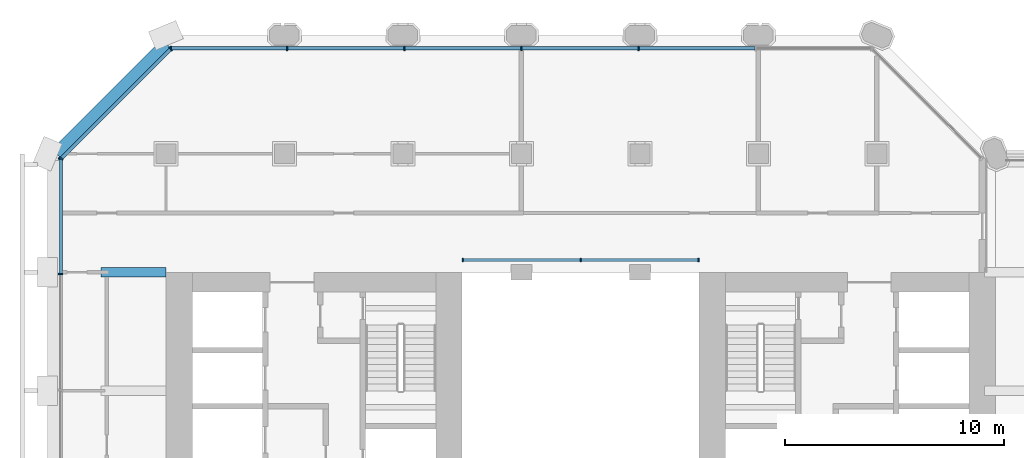
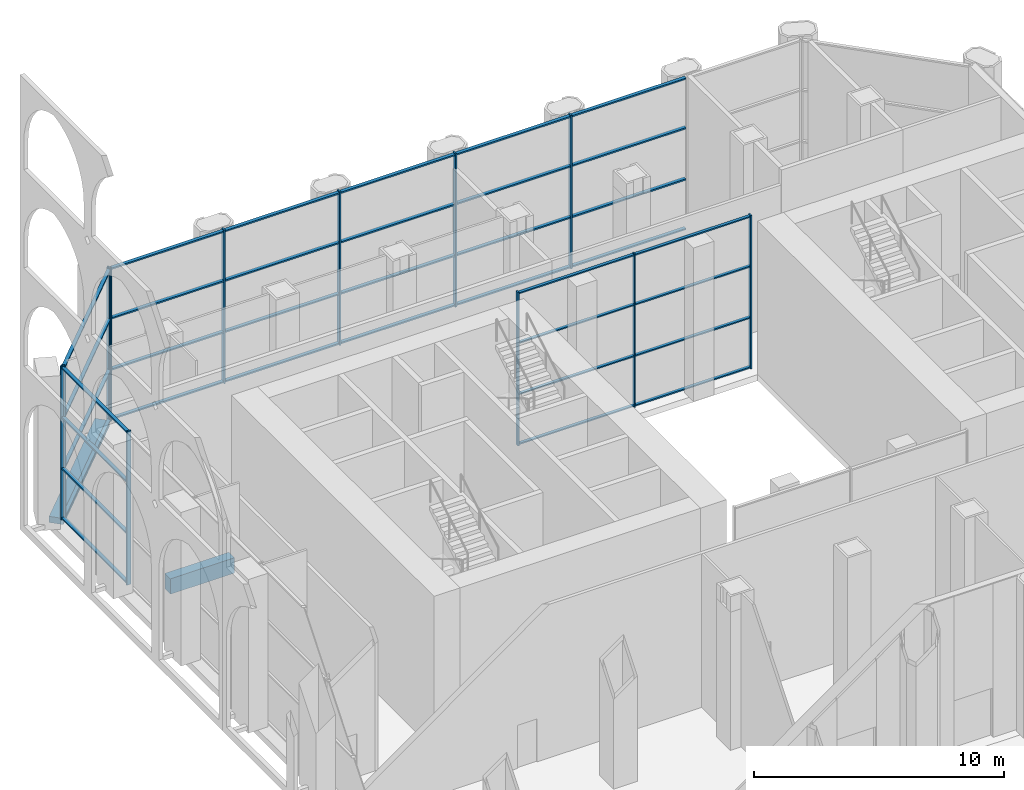
# One storey, part 6 of 20: 48 members, 2 beams, 4 elements without a shape of their own.
"""IFC4 building model written with IfcOpenShell, lengths in metres."""

from ifc_helpers import new_model, si_unit, direction, frame, origin, origin_2d, place, context, subcontext, project, spatial, rectangle, extrude, material, material_profile, profile_set, type_object, element, aggregate, save


model = new_model("IFC4")

# Units and contexts
model_context = context("Model", 3, precision=1e-05, world=origin(), true_north=direction((0.0, 1.0)))
body_context = subcontext(model_context, "Body", "Model", "MODEL_VIEW")
ifc_project = project(units=[si_unit("LENGTHUNIT", "METRE"), si_unit("AREAUNIT", "SQUARE_METRE"), si_unit("VOLUMEUNIT", "CUBIC_METRE"), si_unit("PLANEANGLEUNIT", "RADIAN"), si_unit("MASSUNIT", "GRAM", prefix="KILO")], contexts=[model_context])

# Site, building, storey
site_placement = place(None, origin())
site = spatial("IfcSite", under=ifc_project, at=site_placement, CompositionType="ELEMENT")
building_placement = place(site_placement, origin())
building = spatial("IfcBuilding", under=site, at=building_placement, Name="Tabaq Tower and Sports Hall", CompositionType="ELEMENT")
storey_placement = place(building_placement, frame((0.0, 0.0, 130.60009765625)))
storey = spatial("IfcBuildingStorey", under=building, at=storey_placement, Name="L31", CompositionType="ELEMENT", Elevation=130.60009765625)

# Curtain wall, members
ifc_material_1 = material(Name="Aluminium alloy 6063-T6 framed glazing", Category="aluminium")
curtain_wall_type_1 = type_object("IfcCurtainWallType", Name="CW1 curtain wall", PredefinedType="USERDEFINED", material=ifc_material_1)
curtain_wall_1_placement = place(storey_placement, origin())
curtain_wall_1 = element("IfcCurtainWall", 1, at=curtain_wall_1_placement, inside=storey, type_object=curtain_wall_type_1, Name="Atrium glazing L31 N", ObjectType="ATRIUM ENCLOSURE", PredefinedType="USERDEFINED")
ifc_material_2 = material(Name="Aluminium alloy 6063-T6", Category="aluminium")
ifc_material_profile_1 = material_profile(ifc_material_2, rectangle(XDim=0.159912109375, YDim=0.06005859375, at=origin_2d()), Name="MULLION 160x60")
ifc_profile_set_1 = profile_set([ifc_material_profile_1], Name="Aluminium alloy 6063-T6")
member_type_1 = type_object("IfcMemberType", Name="CW1 mullion 160x60", PredefinedType="MULLION", material=ifc_profile_set_1)
member_1_placement = place(storey_placement, frame((18.929931640625, 32.949951171875, 0.0), z_axis=(0.0, 0.0, 1.0), x_axis=(0.0, 1.0, 0.0)))
member_1 = element("IfcMember", 2, at=member_1_placement, type_object=member_type_1, Name="CW1 mullion 1", PredefinedType="MULLION", context=body_context, shape_type="SweptSolid", body=[
    extrude(rectangle(XDim=0.159912109375, YDim=0.06005859375, at=origin_2d()), origin(), (0.0, 0.0, 1.0), 7.5),
])
member_2_placement = place(storey_placement, frame((24.300048828125, 32.949951171875, 0.0), z_axis=(0.0, 0.0, 1.0), x_axis=(0.0, 1.0, 0.0)))
member_2 = element("IfcMember", 3, at=member_2_placement, type_object=member_type_1, Name="CW1 mullion 2", PredefinedType="MULLION", context=body_context, shape_type="SweptSolid", body=[
    extrude(rectangle(XDim=0.159912109375, YDim=0.06005859375, at=origin_2d()), origin(), (0.0, 0.0, 1.0), 7.5),
])
member_3_placement = place(storey_placement, frame((29.669921875, 32.949951171875, 0.0), z_axis=(0.0, 0.0, 1.0), x_axis=(0.0, 1.0, 0.0)))
member_3 = element("IfcMember", 4, at=member_3_placement, type_object=member_type_1, Name="CW1 mullion 3", PredefinedType="MULLION", context=body_context, shape_type="SweptSolid", body=[
    extrude(rectangle(XDim=0.159912109375, YDim=0.06005859375, at=origin_2d()), origin(), (0.0, 0.0, 1.0), 7.5),
])
ifc_material_3 = material(Name="Aluminium alloy 6063-T6", Category="aluminium")
ifc_material_profile_2 = material_profile(ifc_material_3, rectangle(XDim=0.139892578125, YDim=0.06005859375, at=origin_2d()), Name="TRANSOM 140x60")
ifc_profile_set_2 = profile_set([ifc_material_profile_2], Name="Aluminium alloy 6063-T6")
member_type_2 = type_object("IfcMemberType", Name="CW1 transom 140x60", PredefinedType="USERDEFINED", material=ifc_profile_set_2)
member_4_placement = place(storey_placement, frame((18.9599609375, 32.949951171875, 0.06982421875), z_axis=(1.0, 0.0, 0.0), x_axis=(0.0, 1.0, 0.0)))
member_4 = element("IfcMember", 5, at=member_4_placement, type_object=member_type_2, Name="CW1 transom 1.1", ObjectType="TRANSOM", PredefinedType="USERDEFINED", context=body_context, shape_type="SweptSolid", body=[
    extrude(rectangle(XDim=0.139892578125, YDim=0.06005859375, at=origin_2d()), origin(), (0.0, 0.0, 1.0), 5.31005859375),
])
member_5_placement = place(storey_placement, frame((18.9599609375, 32.949951171875, 2.5), z_axis=(1.0, 0.0, 0.0), x_axis=(0.0, 1.0, 0.0)))
member_5 = element("IfcMember", 6, at=member_5_placement, type_object=member_type_2, Name="CW1 transom 1.2", ObjectType="TRANSOM", PredefinedType="USERDEFINED", context=body_context, shape_type="SweptSolid", body=[
    extrude(rectangle(XDim=0.139892578125, YDim=0.06005859375, at=origin_2d()), origin(), (0.0, 0.0, 1.0), 5.31005859375),
])
member_6_placement = place(storey_placement, frame((18.9599609375, 32.949951171875, 5.0), z_axis=(1.0, 0.0, 0.0), x_axis=(0.0, 1.0, 0.0)))
member_6 = element("IfcMember", 7, at=member_6_placement, type_object=member_type_2, Name="CW1 transom 1.3", ObjectType="TRANSOM", PredefinedType="USERDEFINED", context=body_context, shape_type="SweptSolid", body=[
    extrude(rectangle(XDim=0.139892578125, YDim=0.06005859375, at=origin_2d()), origin(), (0.0, 0.0, 1.0), 5.31005859375),
])
member_7_placement = place(storey_placement, frame((18.9599609375, 32.949951171875, 7.429931640625), z_axis=(1.0, 0.0, 0.0), x_axis=(0.0, 1.0, 0.0)))
member_7 = element("IfcMember", 8, at=member_7_placement, type_object=member_type_2, Name="CW1 transom 1.4", ObjectType="TRANSOM", PredefinedType="USERDEFINED", context=body_context, shape_type="SweptSolid", body=[
    extrude(rectangle(XDim=0.139892578125, YDim=0.06005859375, at=origin_2d()), origin(), (0.0, 0.0, 1.0), 5.31005859375),
])
member_8_placement = place(storey_placement, frame((24.330078125, 32.949951171875, 0.06982421875), z_axis=(1.0, 0.0, 0.0), x_axis=(0.0, 1.0, 0.0)))
member_8 = element("IfcMember", 9, at=member_8_placement, type_object=member_type_2, Name="CW1 transom 2.1", ObjectType="TRANSOM", PredefinedType="USERDEFINED", context=body_context, shape_type="SweptSolid", body=[
    extrude(rectangle(XDim=0.139892578125, YDim=0.06005859375, at=origin_2d()), origin(), (0.0, 0.0, 1.0), 5.309814453125),
])
member_9_placement = place(storey_placement, frame((24.330078125, 32.949951171875, 2.5), z_axis=(1.0, 0.0, 0.0), x_axis=(0.0, 1.0, 0.0)))
member_9 = element("IfcMember", 10, at=member_9_placement, type_object=member_type_2, Name="CW1 transom 2.2", ObjectType="TRANSOM", PredefinedType="USERDEFINED", context=body_context, shape_type="SweptSolid", body=[
    extrude(rectangle(XDim=0.139892578125, YDim=0.06005859375, at=origin_2d()), origin(), (0.0, 0.0, 1.0), 5.309814453125),
])
member_10_placement = place(storey_placement, frame((24.330078125, 32.949951171875, 5.0), z_axis=(1.0, 0.0, 0.0), x_axis=(0.0, 1.0, 0.0)))
member_10 = element("IfcMember", 11, at=member_10_placement, type_object=member_type_2, Name="CW1 transom 2.3", ObjectType="TRANSOM", PredefinedType="USERDEFINED", context=body_context, shape_type="SweptSolid", body=[
    extrude(rectangle(XDim=0.139892578125, YDim=0.06005859375, at=origin_2d()), origin(), (0.0, 0.0, 1.0), 5.309814453125),
])
member_11_placement = place(storey_placement, frame((24.330078125, 32.949951171875, 7.429931640625), z_axis=(1.0, 0.0, 0.0), x_axis=(0.0, 1.0, 0.0)))
member_11 = element("IfcMember", 12, at=member_11_placement, type_object=member_type_2, Name="CW1 transom 2.4", ObjectType="TRANSOM", PredefinedType="USERDEFINED", context=body_context, shape_type="SweptSolid", body=[
    extrude(rectangle(XDim=0.139892578125, YDim=0.06005859375, at=origin_2d()), origin(), (0.0, 0.0, 1.0), 5.309814453125),
])
aggregate(curtain_wall_1, [member_1, member_2, member_3, member_4, member_5, member_6, member_7, member_8, member_9, member_10, member_11])

ifc_material_4 = material(Name="Aluminium alloy 6063-T6 framed glazing", Category="aluminium")
curtain_wall_type_2 = type_object("IfcCurtainWallType", Name="CW2 curtain wall", PredefinedType="USERDEFINED", material=ifc_material_4)
curtain_wall_2_placement = place(storey_placement, origin())
curtain_wall_2 = element("IfcCurtainWall", 13, at=curtain_wall_2_placement, inside=storey, type_object=curtain_wall_type_2, Name="Sky Lobby Wall L31 N", ObjectType="SKY LOBBY WALL", PredefinedType="USERDEFINED")
ifc_material_5 = material(Name="Aluminium alloy 6063-T6", Category="aluminium")
ifc_material_profile_3 = material_profile(ifc_material_5, rectangle(XDim=0.199951171875, YDim=0.070068359375, at=origin_2d()), Name="MULLION 200x70")
ifc_profile_set_3 = profile_set([ifc_material_profile_3], Name="Aluminium alloy 6063-T6")
member_type_3 = type_object("IfcMemberType", Name="CW2 mullion 200x70", PredefinedType="MULLION", material=ifc_profile_set_3)
member_12_placement = place(storey_placement, frame((26.93798828125, 42.60009765625, 0.0), z_axis=(0.0, 0.0, 1.0), x_axis=(0.0, -1.0, 0.0)))
member_12 = element("IfcMember", 14, at=member_12_placement, type_object=member_type_3, Name="CW2 mullion 3", PredefinedType="MULLION", context=body_context, shape_type="SweptSolid", body=[
    extrude(rectangle(XDim=0.199951171875, YDim=0.070068359375, at=origin_2d()), origin(), (0.0, 0.0, 1.0), 7.5),
])
member_13_placement = place(storey_placement, frame((21.60009765625, 42.60009765625, 0.0), z_axis=(0.0, 0.0, 1.0), x_axis=(0.0, -1.0, 0.0)))
member_13 = element("IfcMember", 15, at=member_13_placement, type_object=member_type_3, Name="CW2 mullion 4", PredefinedType="MULLION", context=body_context, shape_type="SweptSolid", body=[
    extrude(rectangle(XDim=0.199951171875, YDim=0.070068359375, at=origin_2d()), origin(), (0.0, 0.0, 1.0), 7.5),
])
member_14_placement = place(storey_placement, frame((16.26220703125, 42.60009765625, 0.0), z_axis=(0.0, 0.0, 1.0), x_axis=(0.0, -1.0, 0.0)))
member_14 = element("IfcMember", 16, at=member_14_placement, type_object=member_type_3, Name="CW2 mullion 5", PredefinedType="MULLION", context=body_context, shape_type="SweptSolid", body=[
    extrude(rectangle(XDim=0.199951171875, YDim=0.070068359375, at=origin_2d()), origin(), (0.0, 0.0, 1.0), 7.5),
])
member_15_placement = place(storey_placement, frame((10.92431640625, 42.60009765625, 0.0), z_axis=(0.0, 0.0, 1.0), x_axis=(0.0, -1.0, 0.0)))
member_15 = element("IfcMember", 17, at=member_15_placement, type_object=member_type_3, Name="CW2 mullion 6", PredefinedType="MULLION", context=body_context, shape_type="SweptSolid", body=[
    extrude(rectangle(XDim=0.199951171875, YDim=0.070068359375, at=origin_2d()), origin(), (0.0, 0.0, 1.0), 7.5),
])
member_16_placement = place(storey_placement, frame((5.621337890625, 42.60009765625, 0.0), z_axis=(0.0, 0.0, 1.0), x_axis=(0.0, -1.0, 0.0)))
member_16 = element("IfcMember", 18, at=member_16_placement, type_object=member_type_3, Name="CW2 mullion 7", PredefinedType="MULLION", context=body_context, shape_type="SweptSolid", body=[
    extrude(rectangle(XDim=0.199951171875, YDim=0.070068359375, at=origin_2d()), origin(), (0.0, 0.0, 1.0), 7.5),
])

curtain_wall_3_placement = place(storey_placement, origin())
curtain_wall_3 = element("IfcCurtainWall", 19, at=curtain_wall_3_placement, inside=storey, type_object=curtain_wall_type_2, Name="Sky Lobby Wall L31 NW", ObjectType="SKY LOBBY WALL", PredefinedType="USERDEFINED")
member_17_placement = place(storey_placement, frame((5.623779296875, 42.5751953125, 0.0), z_axis=(0.0, 0.0, 1.0), x_axis=(0.707106781187, -0.707106781187, 0.0)))
member_17 = element("IfcMember", 20, at=member_17_placement, type_object=member_type_3, Name="CW2 mullion 1", PredefinedType="MULLION", context=body_context, shape_type="SweptSolid", body=[
    extrude(rectangle(XDim=0.199951171875, YDim=0.070068359375, at=origin_2d()), origin(), (0.0, 0.0, 1.0), 7.5),
])
member_18_placement = place(storey_placement, frame((0.624755859375, 37.576171875, 0.0), z_axis=(0.0, 0.0, 1.0), x_axis=(0.707106781187, -0.707106781187, 0.0)))
member_18 = element("IfcMember", 21, at=member_18_placement, type_object=member_type_3, Name="CW2 mullion 2", PredefinedType="MULLION", context=body_context, shape_type="SweptSolid", body=[
    extrude(rectangle(XDim=0.199951171875, YDim=0.070068359375, at=origin_2d()), origin(), (0.0, 0.0, 1.0), 7.5),
])

curtain_wall_4_placement = place(storey_placement, origin())
curtain_wall_4 = element("IfcCurtainWall", 22, at=curtain_wall_4_placement, inside=storey, type_object=curtain_wall_type_2, Name="Sky Lobby Wall L31 W", ObjectType="SKY LOBBY WALL", PredefinedType="USERDEFINED")
member_19_placement = place(storey_placement, frame((0.60009765625, 37.57861328125, 0.0), z_axis=(0.0, 0.0, 1.0), x_axis=(1.0, 0.0, 0.0)))
member_19 = element("IfcMember", 23, at=member_19_placement, type_object=member_type_3, Name="CW2 mullion 1", PredefinedType="MULLION", context=body_context, shape_type="SweptSolid", body=[
    extrude(rectangle(XDim=0.199951171875, YDim=0.070068359375, at=origin_2d()), origin(), (0.0, 0.0, 1.0), 7.5),
])
member_20_placement = place(storey_placement, frame((0.60009765625, 32.319580078125, 0.0), z_axis=(0.0, 0.0, 1.0), x_axis=(1.0, 0.0, 0.0)))
member_20 = element("IfcMember", 24, at=member_20_placement, type_object=member_type_3, Name="CW2 mullion 2", PredefinedType="MULLION", context=body_context, shape_type="SweptSolid", body=[
    extrude(rectangle(XDim=0.199951171875, YDim=0.070068359375, at=origin_2d()), origin(), (0.0, 0.0, 1.0), 7.5),
])

# Member
ifc_material_6 = material(Name="Aluminium alloy 6063-T6", Category="aluminium")
ifc_material_profile_4 = material_profile(ifc_material_6, rectangle(XDim=0.159912109375, YDim=0.070068359375, at=origin_2d()), Name="TRANSOM 160x70")
ifc_profile_set_4 = profile_set([ifc_material_profile_4], Name="Aluminium alloy 6063-T6")
member_type_4 = type_object("IfcMemberType", Name="CW2 transom 160x70", PredefinedType="USERDEFINED", material=ifc_profile_set_4)
member_21_placement = place(storey_placement, frame((32.24072265625, 42.60009765625, 0.079833984375), z_axis=(-1.0, 0.0, 0.0), x_axis=(0.0, -1.0, 0.0)))
member_21 = element("IfcMember", 25, at=member_21_placement, type_object=member_type_4, Name="CW2 transom 2.1", ObjectType="TRANSOM", PredefinedType="USERDEFINED", context=body_context, shape_type="SweptSolid", body=[
    extrude(rectangle(XDim=0.159912109375, YDim=0.070068359375, at=origin_2d()), origin(), (0.0, 0.0, 1.0), 5.267822265625),
])

member_22_placement = place(storey_placement, frame((32.24072265625, 42.60009765625, 2.5), z_axis=(-1.0, 0.0, 0.0), x_axis=(0.0, -1.0, 0.0)))
member_22 = element("IfcMember", 26, at=member_22_placement, type_object=member_type_4, Name="CW2 transom 2.2", ObjectType="TRANSOM", PredefinedType="USERDEFINED", context=body_context, shape_type="SweptSolid", body=[
    extrude(rectangle(XDim=0.159912109375, YDim=0.070068359375, at=origin_2d()), origin(), (0.0, 0.0, 1.0), 5.267822265625),
])

member_23_placement = place(storey_placement, frame((32.24072265625, 42.60009765625, 5.0), z_axis=(-1.0, 0.0, 0.0), x_axis=(0.0, -1.0, 0.0)))
member_23 = element("IfcMember", 27, at=member_23_placement, type_object=member_type_4, Name="CW2 transom 2.3", ObjectType="TRANSOM", PredefinedType="USERDEFINED", context=body_context, shape_type="SweptSolid", body=[
    extrude(rectangle(XDim=0.159912109375, YDim=0.070068359375, at=origin_2d()), origin(), (0.0, 0.0, 1.0), 5.267822265625),
])

member_24_placement = place(storey_placement, frame((32.24072265625, 42.60009765625, 7.419921875), z_axis=(-1.0, 0.0, 0.0), x_axis=(0.0, -1.0, 0.0)))
member_24 = element("IfcMember", 28, at=member_24_placement, type_object=member_type_4, Name="CW2 transom 2.4", ObjectType="TRANSOM", PredefinedType="USERDEFINED", context=body_context, shape_type="SweptSolid", body=[
    extrude(rectangle(XDim=0.159912109375, YDim=0.070068359375, at=origin_2d()), origin(), (0.0, 0.0, 1.0), 5.267822265625),
])

member_25_placement = place(storey_placement, frame((26.90283203125, 42.60009765625, 0.079833984375), z_axis=(-1.0, 0.0, 0.0), x_axis=(0.0, -1.0, 0.0)))
member_25 = element("IfcMember", 29, at=member_25_placement, type_object=member_type_4, Name="CW2 transom 3.1", ObjectType="TRANSOM", PredefinedType="USERDEFINED", context=body_context, shape_type="SweptSolid", body=[
    extrude(rectangle(XDim=0.159912109375, YDim=0.070068359375, at=origin_2d()), origin(), (0.0, 0.0, 1.0), 5.267822265625),
])

member_26_placement = place(storey_placement, frame((26.90283203125, 42.60009765625, 2.5), z_axis=(-1.0, 0.0, 0.0), x_axis=(0.0, -1.0, 0.0)))
member_26 = element("IfcMember", 30, at=member_26_placement, type_object=member_type_4, Name="CW2 transom 3.2", ObjectType="TRANSOM", PredefinedType="USERDEFINED", context=body_context, shape_type="SweptSolid", body=[
    extrude(rectangle(XDim=0.159912109375, YDim=0.070068359375, at=origin_2d()), origin(), (0.0, 0.0, 1.0), 5.267822265625),
])

member_27_placement = place(storey_placement, frame((26.90283203125, 42.60009765625, 5.0), z_axis=(-1.0, 0.0, 0.0), x_axis=(0.0, -1.0, 0.0)))
member_27 = element("IfcMember", 31, at=member_27_placement, type_object=member_type_4, Name="CW2 transom 3.3", ObjectType="TRANSOM", PredefinedType="USERDEFINED", context=body_context, shape_type="SweptSolid", body=[
    extrude(rectangle(XDim=0.159912109375, YDim=0.070068359375, at=origin_2d()), origin(), (0.0, 0.0, 1.0), 5.267822265625),
])

member_28_placement = place(storey_placement, frame((26.90283203125, 42.60009765625, 7.419921875), z_axis=(-1.0, 0.0, 0.0), x_axis=(0.0, -1.0, 0.0)))
member_28 = element("IfcMember", 32, at=member_28_placement, type_object=member_type_4, Name="CW2 transom 3.4", ObjectType="TRANSOM", PredefinedType="USERDEFINED", context=body_context, shape_type="SweptSolid", body=[
    extrude(rectangle(XDim=0.159912109375, YDim=0.070068359375, at=origin_2d()), origin(), (0.0, 0.0, 1.0), 5.267822265625),
])

member_29_placement = place(storey_placement, frame((21.56494140625, 42.60009765625, 0.079833984375), z_axis=(-1.0, 0.0, 0.0), x_axis=(0.0, -1.0, 0.0)))
member_29 = element("IfcMember", 33, at=member_29_placement, type_object=member_type_4, Name="CW2 transom 4.1", ObjectType="TRANSOM", PredefinedType="USERDEFINED", context=body_context, shape_type="SweptSolid", body=[
    extrude(rectangle(XDim=0.159912109375, YDim=0.070068359375, at=origin_2d()), origin(), (0.0, 0.0, 1.0), 5.267822265625),
])

member_30_placement = place(storey_placement, frame((21.56494140625, 42.60009765625, 2.5), z_axis=(-1.0, 0.0, 0.0), x_axis=(0.0, -1.0, 0.0)))
member_30 = element("IfcMember", 34, at=member_30_placement, type_object=member_type_4, Name="CW2 transom 4.2", ObjectType="TRANSOM", PredefinedType="USERDEFINED", context=body_context, shape_type="SweptSolid", body=[
    extrude(rectangle(XDim=0.159912109375, YDim=0.070068359375, at=origin_2d()), origin(), (0.0, 0.0, 1.0), 5.267822265625),
])

member_31_placement = place(storey_placement, frame((21.56494140625, 42.60009765625, 5.0), z_axis=(-1.0, 0.0, 0.0), x_axis=(0.0, -1.0, 0.0)))
member_31 = element("IfcMember", 35, at=member_31_placement, type_object=member_type_4, Name="CW2 transom 4.3", ObjectType="TRANSOM", PredefinedType="USERDEFINED", context=body_context, shape_type="SweptSolid", body=[
    extrude(rectangle(XDim=0.159912109375, YDim=0.070068359375, at=origin_2d()), origin(), (0.0, 0.0, 1.0), 5.267822265625),
])

member_32_placement = place(storey_placement, frame((21.56494140625, 42.60009765625, 7.419921875), z_axis=(-1.0, 0.0, 0.0), x_axis=(0.0, -1.0, 0.0)))
member_32 = element("IfcMember", 36, at=member_32_placement, type_object=member_type_4, Name="CW2 transom 4.4", ObjectType="TRANSOM", PredefinedType="USERDEFINED", context=body_context, shape_type="SweptSolid", body=[
    extrude(rectangle(XDim=0.159912109375, YDim=0.070068359375, at=origin_2d()), origin(), (0.0, 0.0, 1.0), 5.267822265625),
])

member_33_placement = place(storey_placement, frame((16.22705078125, 42.60009765625, 0.079833984375), z_axis=(-1.0, 0.0, 0.0), x_axis=(0.0, -1.0, 0.0)))
member_33 = element("IfcMember", 37, at=member_33_placement, type_object=member_type_4, Name="CW2 transom 5.1", ObjectType="TRANSOM", PredefinedType="USERDEFINED", context=body_context, shape_type="SweptSolid", body=[
    extrude(rectangle(XDim=0.159912109375, YDim=0.070068359375, at=origin_2d()), origin(), (0.0, 0.0, 1.0), 5.267822265625),
])

member_34_placement = place(storey_placement, frame((16.22705078125, 42.60009765625, 2.5), z_axis=(-1.0, 0.0, 0.0), x_axis=(0.0, -1.0, 0.0)))
member_34 = element("IfcMember", 38, at=member_34_placement, type_object=member_type_4, Name="CW2 transom 5.2", ObjectType="TRANSOM", PredefinedType="USERDEFINED", context=body_context, shape_type="SweptSolid", body=[
    extrude(rectangle(XDim=0.159912109375, YDim=0.070068359375, at=origin_2d()), origin(), (0.0, 0.0, 1.0), 5.267822265625),
])

member_35_placement = place(storey_placement, frame((16.22705078125, 42.60009765625, 5.0), z_axis=(-1.0, 0.0, 0.0), x_axis=(0.0, -1.0, 0.0)))
member_35 = element("IfcMember", 39, at=member_35_placement, type_object=member_type_4, Name="CW2 transom 5.3", ObjectType="TRANSOM", PredefinedType="USERDEFINED", context=body_context, shape_type="SweptSolid", body=[
    extrude(rectangle(XDim=0.159912109375, YDim=0.070068359375, at=origin_2d()), origin(), (0.0, 0.0, 1.0), 5.267822265625),
])

member_36_placement = place(storey_placement, frame((16.22705078125, 42.60009765625, 7.419921875), z_axis=(-1.0, 0.0, 0.0), x_axis=(0.0, -1.0, 0.0)))
member_36 = element("IfcMember", 40, at=member_36_placement, type_object=member_type_4, Name="CW2 transom 5.4", ObjectType="TRANSOM", PredefinedType="USERDEFINED", context=body_context, shape_type="SweptSolid", body=[
    extrude(rectangle(XDim=0.159912109375, YDim=0.070068359375, at=origin_2d()), origin(), (0.0, 0.0, 1.0), 5.267822265625),
])

member_37_placement = place(storey_placement, frame((10.88916015625, 42.60009765625, 0.079833984375), z_axis=(-1.0, 0.0, 0.0), x_axis=(0.0, -1.0, 0.0)))
member_37 = element("IfcMember", 41, at=member_37_placement, type_object=member_type_4, Name="CW2 transom 6.1", ObjectType="TRANSOM", PredefinedType="USERDEFINED", context=body_context, shape_type="SweptSolid", body=[
    extrude(rectangle(XDim=0.159912109375, YDim=0.070068359375, at=origin_2d()), origin(), (0.0, 0.0, 1.0), 5.232666015625),
])

member_38_placement = place(storey_placement, frame((10.88916015625, 42.60009765625, 2.5), z_axis=(-1.0, 0.0, 0.0), x_axis=(0.0, -1.0, 0.0)))
member_38 = element("IfcMember", 42, at=member_38_placement, type_object=member_type_4, Name="CW2 transom 6.2", ObjectType="TRANSOM", PredefinedType="USERDEFINED", context=body_context, shape_type="SweptSolid", body=[
    extrude(rectangle(XDim=0.159912109375, YDim=0.070068359375, at=origin_2d()), origin(), (0.0, 0.0, 1.0), 5.232666015625),
])

member_39_placement = place(storey_placement, frame((10.88916015625, 42.60009765625, 5.0), z_axis=(-1.0, 0.0, 0.0), x_axis=(0.0, -1.0, 0.0)))
member_39 = element("IfcMember", 43, at=member_39_placement, type_object=member_type_4, Name="CW2 transom 6.3", ObjectType="TRANSOM", PredefinedType="USERDEFINED", context=body_context, shape_type="SweptSolid", body=[
    extrude(rectangle(XDim=0.159912109375, YDim=0.070068359375, at=origin_2d()), origin(), (0.0, 0.0, 1.0), 5.232666015625),
])

member_40_placement = place(storey_placement, frame((10.88916015625, 42.60009765625, 7.419921875), z_axis=(-1.0, 0.0, 0.0), x_axis=(0.0, -1.0, 0.0)))
member_40 = element("IfcMember", 44, at=member_40_placement, type_object=member_type_4, Name="CW2 transom 6.4", ObjectType="TRANSOM", PredefinedType="USERDEFINED", context=body_context, shape_type="SweptSolid", body=[
    extrude(rectangle(XDim=0.159912109375, YDim=0.070068359375, at=origin_2d()), origin(), (0.0, 0.0, 1.0), 5.232666015625),
])

aggregate(curtain_wall_2, [member_12, member_13, member_14, member_15, member_16, member_21, member_22, member_23, member_24, member_25, member_26, member_27, member_28, member_29, member_30, member_31, member_32, member_33, member_34, member_35, member_36, member_37, member_38, member_39, member_40])

member_41_placement = place(storey_placement, frame((5.59912109375, 42.550537109375, 0.079833984375), z_axis=(-0.70712422016, -0.707089341783, 0.0), x_axis=(0.707089341783, -0.70712422016, 0.0)))
member_41 = element("IfcMember", 45, at=member_41_placement, type_object=member_type_4, Name="CW2 transom 1.1", ObjectType="TRANSOM", PredefinedType="USERDEFINED", context=body_context, shape_type="SweptSolid", body=[
    extrude(rectangle(XDim=0.159912109375, YDim=0.070068359375, at=origin_2d()), origin(), (0.0, 0.0, 1.0), 6.999755859375),
])

member_42_placement = place(storey_placement, frame((5.59912109375, 42.550537109375, 2.5), z_axis=(-0.70712422016, -0.707089341783, 0.0), x_axis=(0.707089341783, -0.70712422016, 0.0)))
member_42 = element("IfcMember", 46, at=member_42_placement, type_object=member_type_4, Name="CW2 transom 1.2", ObjectType="TRANSOM", PredefinedType="USERDEFINED", context=body_context, shape_type="SweptSolid", body=[
    extrude(rectangle(XDim=0.159912109375, YDim=0.070068359375, at=origin_2d()), origin(), (0.0, 0.0, 1.0), 6.999755859375),
])

member_43_placement = place(storey_placement, frame((5.59912109375, 42.550537109375, 5.0), z_axis=(-0.70712422016, -0.707089341783, 0.0), x_axis=(0.707089341783, -0.70712422016, 0.0)))
member_43 = element("IfcMember", 47, at=member_43_placement, type_object=member_type_4, Name="CW2 transom 1.3", ObjectType="TRANSOM", PredefinedType="USERDEFINED", context=body_context, shape_type="SweptSolid", body=[
    extrude(rectangle(XDim=0.159912109375, YDim=0.070068359375, at=origin_2d()), origin(), (0.0, 0.0, 1.0), 6.999755859375),
])

member_44_placement = place(storey_placement, frame((5.59912109375, 42.550537109375, 7.419921875), z_axis=(-0.70712422016, -0.707089341783, 0.0), x_axis=(0.707089341783, -0.70712422016, 0.0)))
member_44 = element("IfcMember", 48, at=member_44_placement, type_object=member_type_4, Name="CW2 transom 1.4", ObjectType="TRANSOM", PredefinedType="USERDEFINED", context=body_context, shape_type="SweptSolid", body=[
    extrude(rectangle(XDim=0.159912109375, YDim=0.070068359375, at=origin_2d()), origin(), (0.0, 0.0, 1.0), 6.999755859375),
])

aggregate(curtain_wall_3, [member_17, member_18, member_41, member_42, member_43, member_44])

member_45_placement = place(storey_placement, frame((0.60009765625, 37.543701171875, 0.079833984375), z_axis=(0.0, -1.0, 0.0), x_axis=(1.0, 0.0, 0.0)))
member_45 = element("IfcMember", 49, at=member_45_placement, type_object=member_type_4, Name="CW2 transom 1.1", ObjectType="TRANSOM", PredefinedType="USERDEFINED", context=body_context, shape_type="SweptSolid", body=[
    extrude(rectangle(XDim=0.159912109375, YDim=0.070068359375, at=origin_2d()), origin(), (0.0, 0.0, 1.0), 5.18896484375),
])

member_46_placement = place(storey_placement, frame((0.60009765625, 37.543701171875, 2.5), z_axis=(0.0, -1.0, 0.0), x_axis=(1.0, 0.0, 0.0)))
member_46 = element("IfcMember", 50, at=member_46_placement, type_object=member_type_4, Name="CW2 transom 1.2", ObjectType="TRANSOM", PredefinedType="USERDEFINED", context=body_context, shape_type="SweptSolid", body=[
    extrude(rectangle(XDim=0.159912109375, YDim=0.070068359375, at=origin_2d()), origin(), (0.0, 0.0, 1.0), 5.18896484375),
])

member_47_placement = place(storey_placement, frame((0.60009765625, 37.543701171875, 5.0), z_axis=(0.0, -1.0, 0.0), x_axis=(1.0, 0.0, 0.0)))
member_47 = element("IfcMember", 51, at=member_47_placement, type_object=member_type_4, Name="CW2 transom 1.3", ObjectType="TRANSOM", PredefinedType="USERDEFINED", context=body_context, shape_type="SweptSolid", body=[
    extrude(rectangle(XDim=0.159912109375, YDim=0.070068359375, at=origin_2d()), origin(), (0.0, 0.0, 1.0), 5.18896484375),
])

member_48_placement = place(storey_placement, frame((0.60009765625, 37.543701171875, 7.419921875), z_axis=(0.0, -1.0, 0.0), x_axis=(1.0, 0.0, 0.0)))
member_48 = element("IfcMember", 52, at=member_48_placement, type_object=member_type_4, Name="CW2 transom 1.4", ObjectType="TRANSOM", PredefinedType="USERDEFINED", context=body_context, shape_type="SweptSolid", body=[
    extrude(rectangle(XDim=0.159912109375, YDim=0.070068359375, at=origin_2d()), origin(), (0.0, 0.0, 1.0), 5.18896484375),
])

aggregate(curtain_wall_4, [member_19, member_20, member_45, member_46, member_47, member_48])

# Beams
ifc_material_7 = material(Name="Concrete C40/50", Category="concrete")
ifc_material_profile_5 = material_profile(ifc_material_7, rectangle(XDim=0.449951171875, YDim=0.75, at=origin_2d()), Name="CB 450x750")
ifc_profile_set_5 = profile_set([ifc_material_profile_5], Name="Concrete C40/50")
beam_type_1 = type_object("IfcBeamType", Name="PT CANTILEVER BEAM CB 450x750 C40/50", PredefinedType="BEAM", material=ifc_profile_set_5)
beam_1_placement = place(storey_placement, frame((2.449951171875, 32.39990234375, -0.675048828125), z_axis=(1.0, 0.0, 0.0), x_axis=(0.0, 1.0, 0.0)))
element("IfcBeam", 53, at=beam_1_placement, inside=storey, type_object=beam_type_1, Name="Cantilever Beam L31 W6 span 1", PredefinedType="BEAM", context=body_context, shape_type="SweptSolid", body=[
    extrude(rectangle(XDim=0.449951171875, YDim=0.75, at=origin_2d()), origin(), (0.0, 0.0, 1.0), 2.949951171875),
])
ifc_material_8 = material(Name="Concrete C40/50", Category="concrete")
ifc_material_profile_6 = material_profile(ifc_material_8, rectangle(XDim=0.60009765625, YDim=0.300048828125, at=origin_2d()), Name="EB 600x300")
ifc_profile_set_6 = profile_set([ifc_material_profile_6], Name="Concrete C40/50")
beam_type_2 = type_object("IfcBeamType", Name="PT EDGE BEAM EB 600x300 C40/50", PredefinedType="SPANDREL", material=ifc_profile_set_6)
beam_2_placement = place(storey_placement, frame((5.435302734375, 42.81103515625, -0.150146484375), z_axis=(-0.707106781187, -0.707106781187, 0.0), x_axis=(0.707106781187, -0.707106781187, 0.0)))
element("IfcBeam", 54, at=beam_2_placement, inside=storey, type_object=beam_type_2, Name="Edge Beam L31 1", PredefinedType="SPANDREL", context=body_context, shape_type="SweptSolid", body=[
    extrude(rectangle(XDim=0.60009765625, YDim=0.300048828125, at=origin_2d()), origin(), (0.0, 0.0, 1.0), 7.087890625),
])

save(model, "model.ifc")
